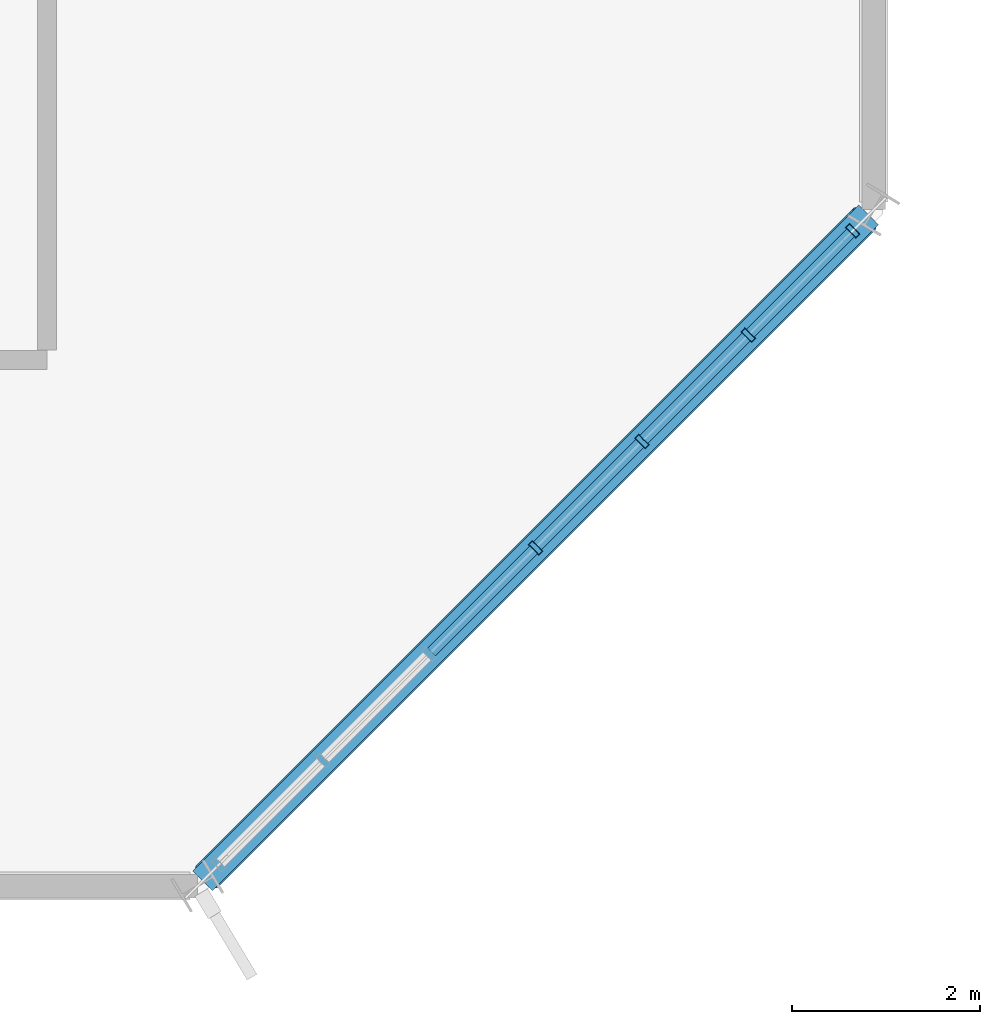
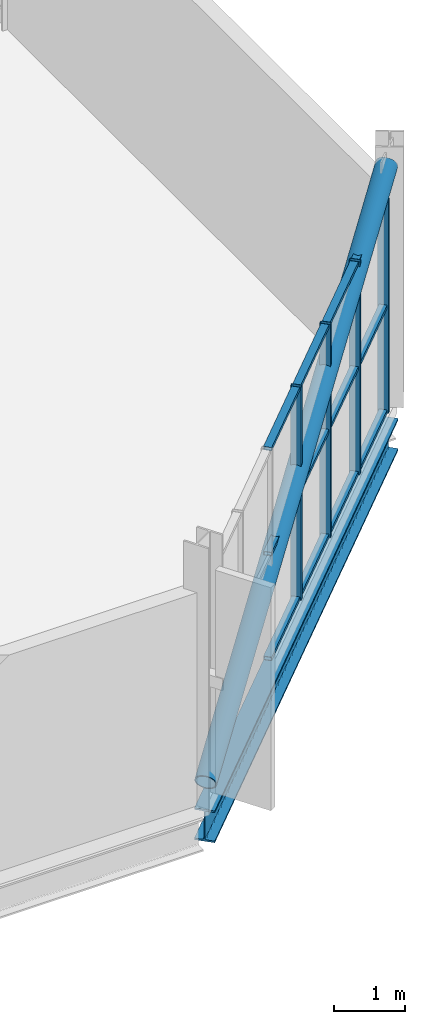
# One storey, part 11 of 22: 17 members, 1 beam, 1 element without a shape of its own.
"""IFC4 building model written with IfcOpenShell, lengths in metres."""

from ifc_helpers import new_model, si_unit, direction, frame, origin, origin_2d, place, context, subcontext, project, spatial, hollow_rectangle, hollow_circle, i_section, extrude, material, layer, layer_set, material_profile, profile_set, type_object, element, aggregate, save


model = new_model("IFC4")

# Units and contexts
model_context = context("Model", 3, precision=1e-05, world=origin(), true_north=direction((0.0, 1.0)))
body_context = subcontext(model_context, "Body", "Model", "MODEL_VIEW")
ifc_project = project(units=[si_unit("LENGTHUNIT", "METRE"), si_unit("AREAUNIT", "SQUARE_METRE"), si_unit("VOLUMEUNIT", "CUBIC_METRE"), si_unit("PLANEANGLEUNIT", "RADIAN"), si_unit("MASSUNIT", "GRAM", prefix="KILO")], contexts=[model_context])

# Site, building, storey
site_placement = place(None, origin())
site = spatial("IfcSite", under=ifc_project, at=site_placement, CompositionType="ELEMENT")
building_placement = place(site_placement, origin())
building = spatial("IfcBuilding", under=site, at=building_placement, Name="Solnavia Interchange Tower", CompositionType="ELEMENT")
storey_placement = place(building_placement, frame((0.0, 0.0, 308.699951171875)))
storey = spatial("IfcBuildingStorey", under=building, at=storey_placement, Name="C02", CompositionType="ELEMENT", Elevation=308.699951171875)

# Curtain wall, members
ifc_material_1 = material(Name="Aluminium Alloy 6063-T6", Category="aluminium")
ifc_layer = layer(ifc_material_1, 0.179931640625)
ifc_layer_set = layer_set([ifc_layer], Name="Aluminium Alloy 6063-T6")
curtain_wall_type = type_object("IfcCurtainWallType", Name="CurtainWall-Crown-CTW6", PredefinedType="NOTDEFINED", material=ifc_layer_set)
curtain_wall_placement = place(storey_placement, origin())
curtain_wall = element("IfcCurtainWall", 1, at=curtain_wall_placement, inside=storey, type_object=curtain_wall_type, Name="CTW-C02-R15 CTW-6 curtain wall", PredefinedType="NOTDEFINED")
ifc_material_profile_1 = material_profile(ifc_material_1, hollow_rectangle(XDim=0.06005859375, YDim=0.159912109375, WallThickness=0.00390625, at=origin_2d()), Name="ALU 160x60x4")
ifc_profile_set_1 = profile_set([ifc_material_profile_1], Name="Aluminium Alloy 6063-T6")
member_type_1 = type_object("IfcMemberType", Name="CW-Mullion-CWM-6", PredefinedType="MULLION", material=ifc_profile_set_1)
member_1_placement = place(storey_placement, frame((39.60009765625, 7.199951171875, 0.0), z_axis=(0.0, 0.0, 1.0), x_axis=(0.707106781187, 0.707106781187, 0.0)))
member_1 = element("IfcMember", 2, at=member_1_placement, type_object=member_type_1, Name="CTW-6 mullion 4", PredefinedType="MULLION", context=body_context, shape_type="SweptSolid", body=[
    extrude(hollow_rectangle(XDim=0.06005859375, YDim=0.159912109375, WallThickness=0.00390625, at=origin_2d()), origin(), (0.0, 0.0, 1.0), 3.679931640625),
])
member_2_placement = place(storey_placement, frame((40.73193359375, 8.33203125, 0.0), z_axis=(0.0, 0.0, 1.0), x_axis=(0.707106781187, 0.707106781187, 0.0)))
member_2 = element("IfcMember", 3, at=member_2_placement, type_object=member_type_1, Name="CTW-6 mullion 5", PredefinedType="MULLION", context=body_context, shape_type="SweptSolid", body=[
    extrude(hollow_rectangle(XDim=0.06005859375, YDim=0.159912109375, WallThickness=0.00390625, at=origin_2d()), origin(), (0.0, 0.0, 1.0), 3.679931640625),
])
member_3_placement = place(storey_placement, frame((41.864013671875, 9.464111328125, 0.0), z_axis=(0.0, 0.0, 1.0), x_axis=(0.707106781187, 0.707106781187, 0.0)))
member_3 = element("IfcMember", 4, at=member_3_placement, type_object=member_type_1, Name="CTW-6 mullion 6", PredefinedType="MULLION", context=body_context, shape_type="SweptSolid", body=[
    extrude(hollow_rectangle(XDim=0.06005859375, YDim=0.159912109375, WallThickness=0.00390625, at=origin_2d()), origin(), (0.0, 0.0, 1.0), 3.679931640625),
])
member_4_placement = place(storey_placement, frame((42.974853515625, 10.57470703125, 0.0), z_axis=(0.0, 0.0, 1.0), x_axis=(0.707106781187, 0.707106781187, 0.0)))
member_4 = element("IfcMember", 5, at=member_4_placement, type_object=member_type_1, Name="CTW-6 mullion 7", PredefinedType="MULLION", context=body_context, shape_type="SweptSolid", body=[
    extrude(hollow_rectangle(XDim=0.06005859375, YDim=0.159912109375, WallThickness=0.00390625, at=origin_2d()), origin(), (0.0, 0.0, 1.0), 3.679931640625),
])
ifc_material_profile_2 = material_profile(ifc_material_1, hollow_rectangle(XDim=0.06005859375, YDim=0.1201171875, WallThickness=0.00390625, at=origin_2d()), Name="ALU 120x60x4")
ifc_profile_set_2 = profile_set([ifc_material_profile_2], Name="Aluminium Alloy 6063-T6")
member_type_2 = type_object("IfcMemberType", Name="CW-Transom-CWT-6", PredefinedType="USERDEFINED", material=ifc_profile_set_2)
member_5_placement = place(storey_placement, frame((38.4892578125, 6.089111328125, 0.030029296875), z_axis=(0.707106781187, 0.707106781187, 0.0), x_axis=(0.0, 0.0, 1.0)))
member_5 = element("IfcMember", 6, at=member_5_placement, type_object=member_type_2, Name="CTW-6 transom 3.1", ObjectType="TRANSOM", PredefinedType="USERDEFINED", context=body_context, shape_type="SweptSolid", body=[
    extrude(hollow_rectangle(XDim=0.06005859375, YDim=0.1201171875, WallThickness=0.00390625, at=origin_2d()), origin(), (0.0, 0.0, 1.0), 1.541015625),
])
member_6_placement = place(storey_placement, frame((38.4892578125, 6.089111328125, 1.840087890625), z_axis=(0.707106781187, 0.707106781187, 0.0), x_axis=(0.0, 0.0, 1.0)))
member_6 = element("IfcMember", 7, at=member_6_placement, type_object=member_type_2, Name="CTW-6 transom 3.2", ObjectType="TRANSOM", PredefinedType="USERDEFINED", context=body_context, shape_type="SweptSolid", body=[
    extrude(hollow_rectangle(XDim=0.06005859375, YDim=0.1201171875, WallThickness=0.00390625, at=origin_2d()), origin(), (0.0, 0.0, 1.0), 1.541015625),
])
member_7_placement = place(storey_placement, frame((38.4892578125, 6.089111328125, 3.650146484375), z_axis=(0.707106781187, 0.707106781187, 0.0), x_axis=(0.0, 0.0, 1.0)))
member_7 = element("IfcMember", 8, at=member_7_placement, type_object=member_type_2, Name="CTW-6 transom 3.3", ObjectType="TRANSOM", PredefinedType="USERDEFINED", context=body_context, shape_type="SweptSolid", body=[
    extrude(hollow_rectangle(XDim=0.06005859375, YDim=0.1201171875, WallThickness=0.00390625, at=origin_2d()), origin(), (0.0, 0.0, 1.0), 1.541015625),
])
member_8_placement = place(storey_placement, frame((39.62109375, 7.22119140625, 0.030029296875), z_axis=(0.707106781187, 0.707106781187, 0.0), x_axis=(0.0, 0.0, 1.0)))
member_8 = element("IfcMember", 9, at=member_8_placement, type_object=member_type_2, Name="CTW-6 transom 4.1", ObjectType="TRANSOM", PredefinedType="USERDEFINED", context=body_context, shape_type="SweptSolid", body=[
    extrude(hollow_rectangle(XDim=0.06005859375, YDim=0.1201171875, WallThickness=0.00390625, at=origin_2d()), origin(), (0.0, 0.0, 1.0), 1.541015625),
])
member_9_placement = place(storey_placement, frame((39.62109375, 7.22119140625, 1.840087890625), z_axis=(0.707106781187, 0.707106781187, 0.0), x_axis=(0.0, 0.0, 1.0)))
member_9 = element("IfcMember", 10, at=member_9_placement, type_object=member_type_2, Name="CTW-6 transom 4.2", ObjectType="TRANSOM", PredefinedType="USERDEFINED", context=body_context, shape_type="SweptSolid", body=[
    extrude(hollow_rectangle(XDim=0.06005859375, YDim=0.1201171875, WallThickness=0.00390625, at=origin_2d()), origin(), (0.0, 0.0, 1.0), 1.541015625),
])
member_10_placement = place(storey_placement, frame((39.62109375, 7.22119140625, 3.650146484375), z_axis=(0.707106781187, 0.707106781187, 0.0), x_axis=(0.0, 0.0, 1.0)))
member_10 = element("IfcMember", 11, at=member_10_placement, type_object=member_type_2, Name="CTW-6 transom 4.3", ObjectType="TRANSOM", PredefinedType="USERDEFINED", context=body_context, shape_type="SweptSolid", body=[
    extrude(hollow_rectangle(XDim=0.06005859375, YDim=0.1201171875, WallThickness=0.00390625, at=origin_2d()), origin(), (0.0, 0.0, 1.0), 1.541015625),
])
member_11_placement = place(storey_placement, frame((40.753173828125, 8.353271484375, 0.030029296875), z_axis=(0.707106781187, 0.707106781187, 0.0), x_axis=(0.0, 0.0, 1.0)))
member_11 = element("IfcMember", 12, at=member_11_placement, type_object=member_type_2, Name="CTW-6 transom 5.1", ObjectType="TRANSOM", PredefinedType="USERDEFINED", context=body_context, shape_type="SweptSolid", body=[
    extrude(hollow_rectangle(XDim=0.06005859375, YDim=0.1201171875, WallThickness=0.00390625, at=origin_2d()), origin(), (0.0, 0.0, 1.0), 1.541015625),
])
member_12_placement = place(storey_placement, frame((40.753173828125, 8.353271484375, 1.840087890625), z_axis=(0.707106781187, 0.707106781187, 0.0), x_axis=(0.0, 0.0, 1.0)))
member_12 = element("IfcMember", 13, at=member_12_placement, type_object=member_type_2, Name="CTW-6 transom 5.2", ObjectType="TRANSOM", PredefinedType="USERDEFINED", context=body_context, shape_type="SweptSolid", body=[
    extrude(hollow_rectangle(XDim=0.06005859375, YDim=0.1201171875, WallThickness=0.00390625, at=origin_2d()), origin(), (0.0, 0.0, 1.0), 1.541015625),
])
member_13_placement = place(storey_placement, frame((40.753173828125, 8.353271484375, 3.650146484375), z_axis=(0.707106781187, 0.707106781187, 0.0), x_axis=(0.0, 0.0, 1.0)))
member_13 = element("IfcMember", 14, at=member_13_placement, type_object=member_type_2, Name="CTW-6 transom 5.3", ObjectType="TRANSOM", PredefinedType="USERDEFINED", context=body_context, shape_type="SweptSolid", body=[
    extrude(hollow_rectangle(XDim=0.06005859375, YDim=0.1201171875, WallThickness=0.00390625, at=origin_2d()), origin(), (0.0, 0.0, 1.0), 1.541015625),
])
member_14_placement = place(storey_placement, frame((41.88525390625, 9.485107421875, 0.030029296875), z_axis=(0.707106781187, 0.707106781187, 0.0), x_axis=(0.0, 0.0, 1.0)))
member_14 = element("IfcMember", 15, at=member_14_placement, type_object=member_type_2, Name="CTW-6 transom 6.1", ObjectType="TRANSOM", PredefinedType="USERDEFINED", context=body_context, shape_type="SweptSolid", body=[
    extrude(hollow_rectangle(XDim=0.06005859375, YDim=0.1201171875, WallThickness=0.00390625, at=origin_2d()), origin(), (0.0, 0.0, 1.0), 1.510986328125),
])
member_15_placement = place(storey_placement, frame((41.88525390625, 9.485107421875, 1.840087890625), z_axis=(0.707106781187, 0.707106781187, 0.0), x_axis=(0.0, 0.0, 1.0)))
member_15 = element("IfcMember", 16, at=member_15_placement, type_object=member_type_2, Name="CTW-6 transom 6.2", ObjectType="TRANSOM", PredefinedType="USERDEFINED", context=body_context, shape_type="SweptSolid", body=[
    extrude(hollow_rectangle(XDim=0.06005859375, YDim=0.1201171875, WallThickness=0.00390625, at=origin_2d()), origin(), (0.0, 0.0, 1.0), 1.510986328125),
])
member_16_placement = place(storey_placement, frame((41.88525390625, 9.485107421875, 3.650146484375), z_axis=(0.707106781187, 0.707106781187, 0.0), x_axis=(0.0, 0.0, 1.0)))
member_16 = element("IfcMember", 17, at=member_16_placement, type_object=member_type_2, Name="CTW-6 transom 6.3", ObjectType="TRANSOM", PredefinedType="USERDEFINED", context=body_context, shape_type="SweptSolid", body=[
    extrude(hollow_rectangle(XDim=0.06005859375, YDim=0.1201171875, WallThickness=0.00390625, at=origin_2d()), origin(), (0.0, 0.0, 1.0), 1.510986328125),
])
aggregate(curtain_wall, [member_1, member_2, member_3, member_4, member_5, member_6, member_7, member_8, member_9, member_10, member_11, member_12, member_13, member_14, member_15, member_16])

# Member
ifc_material_2 = material(Name="Steel S355", Category="steel")
ifc_material_profile_3 = material_profile(ifc_material_2, hollow_circle(Radius=0.161865234375, WallThickness=0.01611328125, at=origin_2d()), Name="CHS 323.9x16")
ifc_profile_set_3 = profile_set([ifc_material_profile_3], Name="Steel S355")
member_type_3 = type_object("IfcMemberType", Name="CrownFrame-Brace-CHS323", PredefinedType="BRACE", material=ifc_profile_set_3)
member_17_placement = place(storey_placement, frame((36.09912109375, 3.698974609375, 0.179931640625), z_axis=(0.656089790069, 0.656089790069, 0.372950901238), x_axis=(-0.707106781187, 0.707106781187, 0.0)))
element("IfcMember", 18, at=member_17_placement, inside=storey, type_object=member_type_3, Name="BRC-C02-CF15 CROWN FRAME ring brace", PredefinedType="BRACE", context=body_context, shape_type="SweptSolid", body=[
    extrude(hollow_circle(Radius=0.161865234375, WallThickness=0.01611328125, at=origin_2d()), origin(), (0.0, 0.0, 1.0), 10.67236328125),
])

# Beam
ifc_material_3 = material(Name="Steel S460", Category="steel")
ifc_material_profile_4 = material_profile(ifc_material_3, i_section(OverallWidth=0.300048828125, OverallDepth=0.550048828125, WebThickness=0.014892578125, FlangeThickness=0.029052734375, FilletRadius=0.027099609375, at=origin_2d()), Name="HEB 550")
ifc_profile_set_4 = profile_set([ifc_material_profile_4], Name="Steel S460")
beam_type = type_object("IfcBeamType", Name="CrownFrame-Ring-HEB550", PredefinedType="BEAM", material=ifc_profile_set_4)
beam_placement = place(storey_placement, frame((36.056640625, 3.656494140625, -0.52490234375), z_axis=(0.707094601135, 0.707118961028, 0.0), x_axis=(-0.707118961028, 0.707094601135, 0.0)))
element("IfcBeam", 19, at=beam_placement, inside=storey, type_object=beam_type, Name="GRD-C02-CR15 CROWN FRAME outer collar ring beam", PredefinedType="BEAM", context=body_context, shape_type="SweptSolid", body=[
    extrude(i_section(OverallWidth=0.300048828125, OverallDepth=0.550048828125, WebThickness=0.014892578125, FlangeThickness=0.029052734375, FilletRadius=0.027099609375, at=origin_2d()), origin(), (0.0, 0.0, 1.0), 10.022216796875),
])

save(model, "model.ifc")
